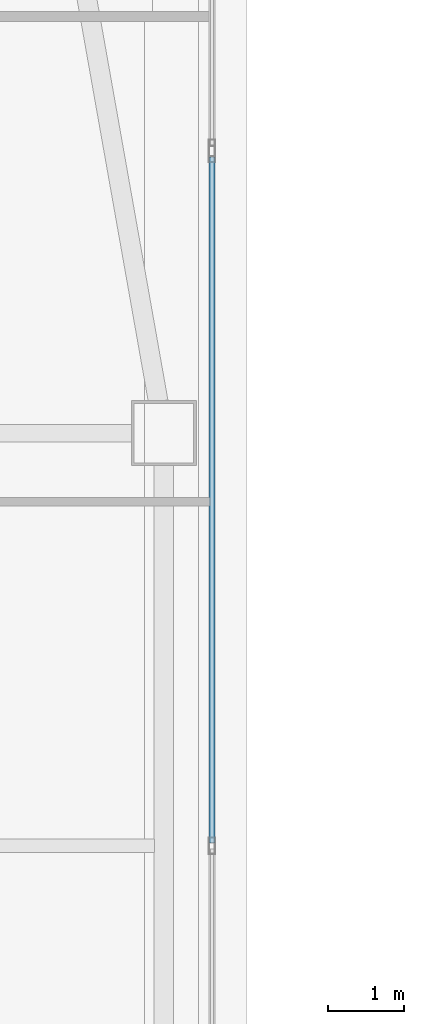
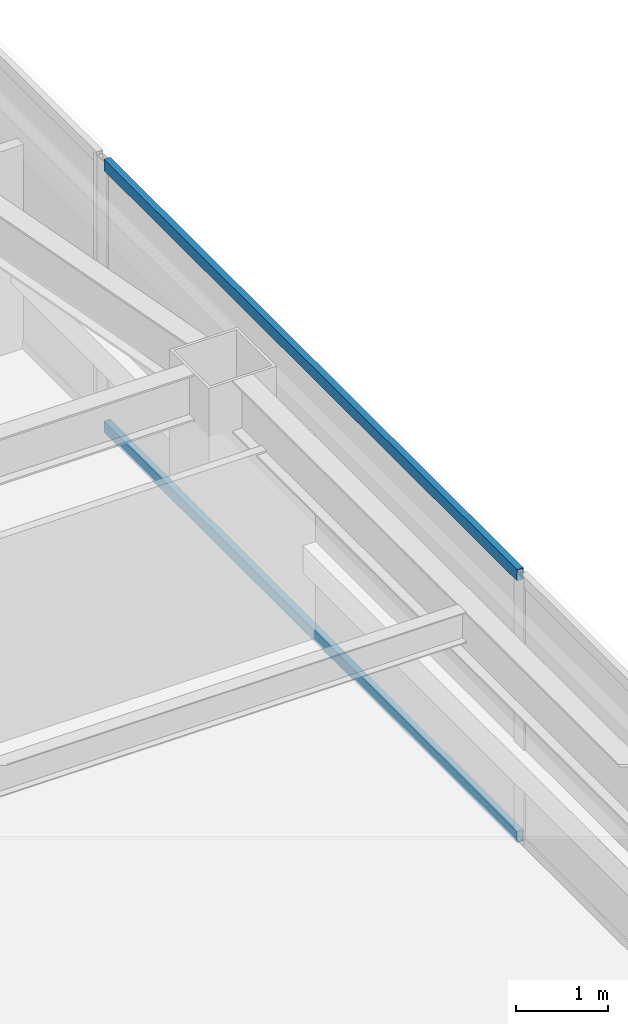
# One storey, part 11 of 44: 2 members, 1 element without a shape of its own.
"""IFC4 building model written with IfcOpenShell, lengths in metres."""

from ifc_helpers import new_model, si_unit, direction, frame, origin, origin_2d, place, context, subcontext, project, spatial, hollow_rectangle, extrude, material, material_profile, profile_set, type_object, element, aggregate, save


model = new_model("IFC4")

# Units and contexts
model_context = context("Model", 3, precision=1e-05, world=origin(), true_north=direction((0.0, 1.0)))
body_context = subcontext(model_context, "Body", "Model", "MODEL_VIEW")
ifc_project = project(units=[si_unit("LENGTHUNIT", "METRE"), si_unit("AREAUNIT", "SQUARE_METRE"), si_unit("VOLUMEUNIT", "CUBIC_METRE"), si_unit("PLANEANGLEUNIT", "RADIAN"), si_unit("MASSUNIT", "GRAM", prefix="KILO")], contexts=[model_context])

# Site, building, storey
site_placement = place(None, origin())
site = spatial("IfcSite", under=ifc_project, at=site_placement, CompositionType="ELEMENT")
building_placement = place(site_placement, origin())
building = spatial("IfcBuilding", under=site, at=building_placement, Name="Tashvorn Skyway Center", CompositionType="ELEMENT")
storey_placement = place(building_placement, frame((0.0, 0.0, 74.300048828125)))
storey = spatial("IfcBuildingStorey", under=building, at=storey_placement, Name="L19", CompositionType="ELEMENT", Elevation=74.300048828125)

# Curtain wall, members
ifc_material = material(Name="Thermally broken bronze-anodized aluminium 6063-T6", Category="aluminium")
curtain_wall_type = type_object("IfcCurtainWallType", Name="CW-CW-Z2", PredefinedType="NOTDEFINED", material=ifc_material)
curtain_wall_placement = place(storey_placement, origin())
curtain_wall = element("IfcCurtainWall", 1, at=curtain_wall_placement, inside=storey, type_object=curtain_wall_type, Name="Tower 1 L19 East Unitised Curtain Wall Glazing Group 2", PredefinedType="NOTDEFINED")
ifc_material_profile = material_profile(ifc_material, hollow_rectangle(XDim=0.080078125, YDim=0.14990234375, WallThickness=0.00439453125, at=origin_2d()), Name="ALU-TRAN-80x150")
ifc_profile_set = profile_set([ifc_material_profile], Name="Thermally broken bronze-anodized aluminium 6063-T6")
member_type = type_object("IfcMemberType", Name="CWT-CW-Z2", PredefinedType="USERDEFINED", material=ifc_profile_set)
member_1_placement = place(storey_placement, frame((62.97998046875, 41.010009765625, 0.0400390625), z_axis=(0.0, -1.0, 0.0), x_axis=(1.0, 0.0, 0.0)))
member_1 = element("IfcMember", 2, at=member_1_placement, type_object=member_type, Name="CW-Z2 transom 1.1", ObjectType="TRANSOM", PredefinedType="USERDEFINED", context=body_context, shape_type="SweptSolid", body=[
    extrude(hollow_rectangle(XDim=0.080078125, YDim=0.14990234375, WallThickness=0.00439453125, at=origin_2d()), origin(), (0.0, 0.0, 1.0), 8.969970703125),
])
member_2_placement = place(storey_placement, frame((62.97998046875, 41.010009765625, 3.510009765625), z_axis=(0.0, -1.0, 0.0), x_axis=(1.0, 0.0, 0.0)))
member_2 = element("IfcMember", 3, at=member_2_placement, type_object=member_type, Name="CW-Z2 transom 1.2", ObjectType="TRANSOM", PredefinedType="USERDEFINED", context=body_context, shape_type="SweptSolid", body=[
    extrude(hollow_rectangle(XDim=0.080078125, YDim=0.14990234375, WallThickness=0.00439453125, at=origin_2d()), origin(), (0.0, 0.0, 1.0), 8.969970703125),
])
aggregate(curtain_wall, [member_1, member_2])

save(model, "model.ifc")
